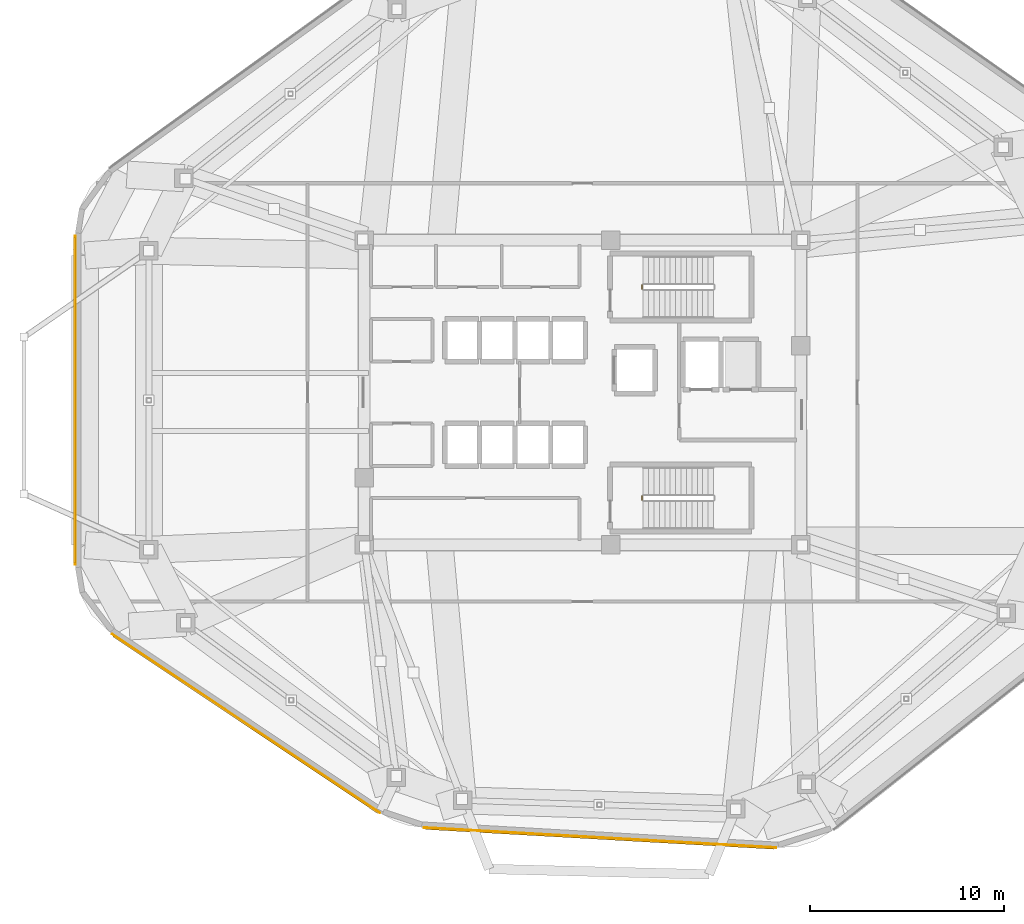
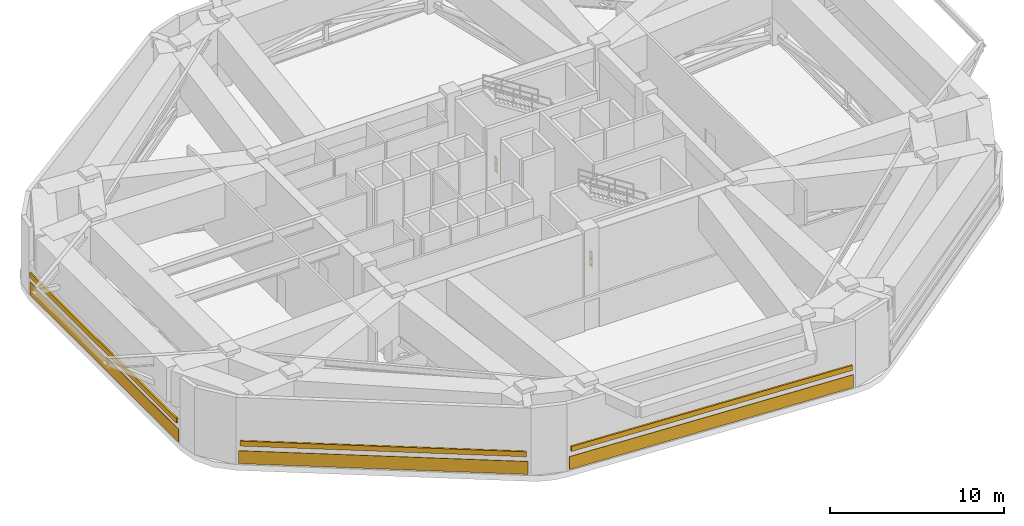
# One storey, part 10 of 13: 3 coverings, 3 shading devices, 2 railings.
"""IFC4 building model written with IfcOpenShell, lengths in metres."""

from ifc_helpers import new_model, si_unit, direction, frame, origin, origin_2d, place, context, subcontext, project, spatial, rectangle, extrude, material, layer, layer_set, type_object, element, save


model = new_model("IFC4")

# Units and contexts
model_context = context("Model", 3, precision=1e-05, world=origin(), true_north=direction((0.0, 1.0)))
body_context = subcontext(model_context, "Body", "Model", "MODEL_VIEW")
ifc_project = project(units=[si_unit("LENGTHUNIT", "METRE"), si_unit("AREAUNIT", "SQUARE_METRE"), si_unit("VOLUMEUNIT", "CUBIC_METRE"), si_unit("PLANEANGLEUNIT", "RADIAN"), si_unit("MASSUNIT", "GRAM", prefix="KILO")], contexts=[model_context])

# Site, building, storey
site_placement = place(None, origin())
site = spatial("IfcSite", under=ifc_project, at=site_placement, CompositionType="ELEMENT")
building_placement = place(site_placement, origin())
building = spatial("IfcBuilding", under=site, at=building_placement, Name="Zulverin Broadcast Headquarters", CompositionType="ELEMENT")
storey_placement = place(building_placement, frame((0.0, 0.0, 220.0)))
storey = spatial("IfcBuildingStorey", under=building, at=storey_placement, Name="L56", CompositionType="ELEMENT", Elevation=220.0)

# Coverings
ifc_material_1 = material(Name="Brushed pale-aluminium rainscreen cladding", Category="aluminium")
ifc_layer = layer(ifc_material_1, 0.0400390625, Name="Brushed pale-aluminium rainscreen cladding", Category="aluminium")
ifc_layer_set = layer_set([ifc_layer], Name="Brushed pale-aluminium rainscreen cladding")
covering_type = type_object("IfcCoveringType", Name="COV-CLAD-MEP", PredefinedType="CLADDING", material=ifc_layer_set)
covering_1_placement = place(storey_placement, frame((37.90771484375, 2.2021484375, 0.10009765625), z_axis=(0.0, 0.0, 1.0), x_axis=(0.998388007415, -0.056757260766, 0.0)))
element("IfcCovering", 1, at=covering_1_placement, inside=storey, type_object=covering_type, Name="L56 Brushed Pale-Aluminium Cladding Band 1", PredefinedType="CLADDING", context=body_context, shape_type="SweptSolid", body=[
    extrude(rectangle(XDim=18.233642578125, YDim=0.0400390625, at=origin_2d()), origin(), (0.0, 0.0, 1.0), 0.89990234375),
])
covering_2_placement = place(storey_placement, frame((10.7900390625, 24.7978515625, 0.10009765625), z_axis=(0.0, 0.0, 1.0), x_axis=(0.0, -1.0, 0.0)))
element("IfcCovering", 2, at=covering_2_placement, inside=storey, type_object=covering_type, Name="L56 Brushed Pale-Aluminium Cladding Band 7", PredefinedType="CLADDING", context=body_context, shape_type="SweptSolid", body=[
    extrude(rectangle(XDim=17.018798828125, YDim=0.0400390625, at=origin_2d()), origin(), (0.0, 0.0, 1.0), 0.89990234375),
])
covering_3_placement = place(storey_placement, frame((19.614501953125, 8.1005859375, 0.10009765625), z_axis=(0.0, 0.0, 1.0), x_axis=(0.831561717906, -0.555432362501, 0.0)))
element("IfcCovering", 3, at=covering_3_placement, inside=storey, type_object=covering_type, Name="L56 Brushed Pale-Aluminium Cladding Band 8", PredefinedType="CLADDING", context=body_context, shape_type="SweptSolid", body=[
    extrude(rectangle(XDim=16.635986328125, YDim=0.0400390625, at=origin_2d()), origin(), (0.0, 0.0, 1.0), 0.89990234375),
])

# Railings
ifc_material_2 = material(Name="Painted galvanized steel tubular guardrail S355JR", Category="steel")
railing_type = type_object("IfcRailingType", Name="RL-ST-GUARD", PredefinedType="GUARDRAIL", material=ifc_material_2)
railing_1_placement = place(storey_placement, frame((40.080078125, 30.550048828125, 0.0)))
element("IfcRailing", 4, at=railing_1_placement, inside=storey, type_object=railing_type, Name="L56 ST-1 stair guard 4", PredefinedType="GUARDRAIL", context=body_context, shape_type="SweptSolid", body=[
    extrude(rectangle(XDim=0.048095703125, YDim=0.048095703125, at=origin_2d()), frame((0.0, 0.0, 1.076171875), z_axis=(0.0, 1.0, 0.0), x_axis=(-1.0, 0.0, 0.0)), (0.0, 0.0, 1.0), 0.199951171875),
    extrude(rectangle(XDim=0.0419921875, YDim=0.0419921875, at=origin_2d()), frame((0.0, 0.0, 0.572021484375), z_axis=(0.0, 1.0, 0.0), x_axis=(-1.0, 0.0, 0.0)), (0.0, 0.0, 1.0), 0.199951171875),
    extrude(rectangle(XDim=0.0419921875, YDim=0.0419921875, at=origin_2d()), frame((0.0, 0.0, 0.1201171875), z_axis=(0.0, 1.0, 0.0), x_axis=(-1.0, 0.0, 0.0)), (0.0, 0.0, 1.0), 0.199951171875),
    extrude(rectangle(XDim=0.0419921875, YDim=0.0419921875, at=origin_2d()), origin(), (0.0, 0.0, 1.0), 1.052001953125),
    extrude(rectangle(XDim=0.0419921875, YDim=0.0419921875, at=origin_2d()), frame((0.0, 0.199951171875, 0.0)), (0.0, 0.0, 1.0), 1.052001953125),
])
railing_2_placement = place(storey_placement, frame((40.080078125, 19.64990234375, 0.0)))
element("IfcRailing", 5, at=railing_2_placement, inside=storey, type_object=railing_type, Name="L56 ST-2 stair guard 4", PredefinedType="GUARDRAIL", context=body_context, shape_type="SweptSolid", body=[
    extrude(rectangle(XDim=0.048095703125, YDim=0.048095703125, at=origin_2d()), frame((0.0, 0.0, 1.076171875), z_axis=(0.0, 1.0, 0.0), x_axis=(-1.0, 0.0, 0.0)), (0.0, 0.0, 1.0), 0.2001953125),
    extrude(rectangle(XDim=0.0419921875, YDim=0.0419921875, at=origin_2d()), frame((0.0, 0.0, 0.572021484375), z_axis=(0.0, 1.0, 0.0), x_axis=(-1.0, 0.0, 0.0)), (0.0, 0.0, 1.0), 0.2001953125),
    extrude(rectangle(XDim=0.0419921875, YDim=0.0419921875, at=origin_2d()), frame((0.0, 0.0, 0.1201171875), z_axis=(0.0, 1.0, 0.0), x_axis=(-1.0, 0.0, 0.0)), (0.0, 0.0, 1.0), 0.2001953125),
    extrude(rectangle(XDim=0.0419921875, YDim=0.0419921875, at=origin_2d()), origin(), (0.0, 0.0, 1.0), 1.052001953125),
    extrude(rectangle(XDim=0.0419921875, YDim=0.0419921875, at=origin_2d()), frame((0.0, 0.2001953125, 0.0)), (0.0, 0.0, 1.0), 1.052001953125),
])

# Shading devices
ifc_material_3 = material(Name="Anodized pale-metal aluminium acoustic louvre", Category="aluminium")
shading_device_type = type_object("IfcShadingDeviceType", Name="SHD-LOUVRE-350", PredefinedType="USERDEFINED", material=ifc_material_3)
shading_device_1_placement = place(storey_placement, frame((37.906005859375, 2.172119140625, 1.375), z_axis=(0.0, 0.0, 1.0), x_axis=(0.998388007415, -0.056757260766, 0.0)))
element("IfcShadingDevice", 6, at=shading_device_1_placement, inside=storey, type_object=shading_device_type, Name="L56 Plant Room Acoustic Louvre Screen 1", ObjectType="LOUVRE", PredefinedType="USERDEFINED", context=body_context, shape_type="SweptSolid", body=[
    extrude(rectangle(XDim=18.03369140625, YDim=0.1201171875, at=origin_2d()), origin(), (0.0, 0.0, 1.0), 0.35009765625),
])
shading_device_2_placement = place(storey_placement, frame((10.760009765625, 24.7978515625, 1.375), z_axis=(0.0, 0.0, 1.0), x_axis=(0.0, -1.0, 0.0)))
element("IfcShadingDevice", 7, at=shading_device_2_placement, inside=storey, type_object=shading_device_type, Name="L56 Plant Room Acoustic Louvre Screen 7", ObjectType="LOUVRE", PredefinedType="USERDEFINED", context=body_context, shape_type="SweptSolid", body=[
    extrude(rectangle(XDim=16.81884765625, YDim=0.1201171875, at=origin_2d()), origin(), (0.0, 0.0, 1.0), 0.35009765625),
])
shading_device_3_placement = place(storey_placement, frame((19.59765625, 8.075439453125, 1.375), z_axis=(0.0, 0.0, 1.0), x_axis=(0.831561717906, -0.555432362501, 0.0)))
element("IfcShadingDevice", 8, at=shading_device_3_placement, inside=storey, type_object=shading_device_type, Name="L56 Plant Room Acoustic Louvre Screen 8", ObjectType="LOUVRE", PredefinedType="USERDEFINED", context=body_context, shape_type="SweptSolid", body=[
    extrude(rectangle(XDim=16.43603515625, YDim=0.1201171875, at=origin_2d()), origin(), (0.0, 0.0, 1.0), 0.35009765625),
])

save(model, "model.ifc")
